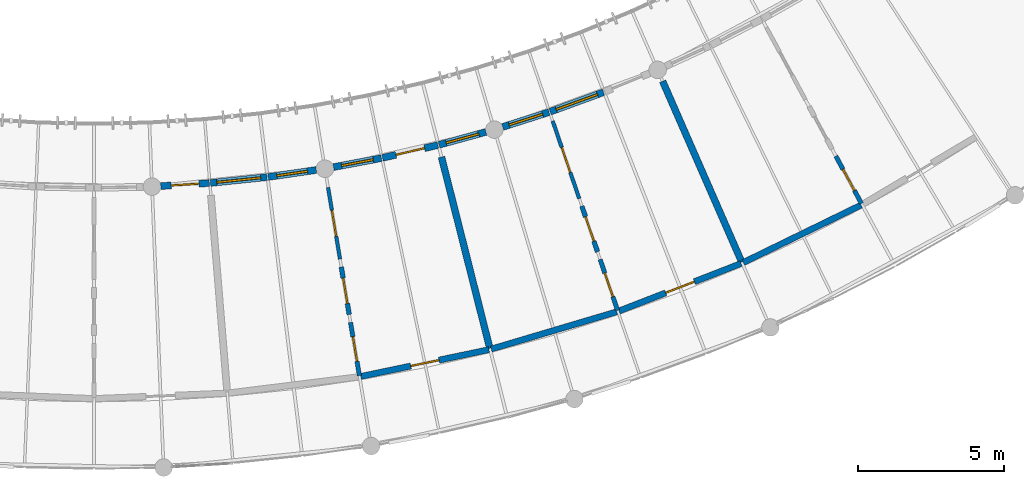
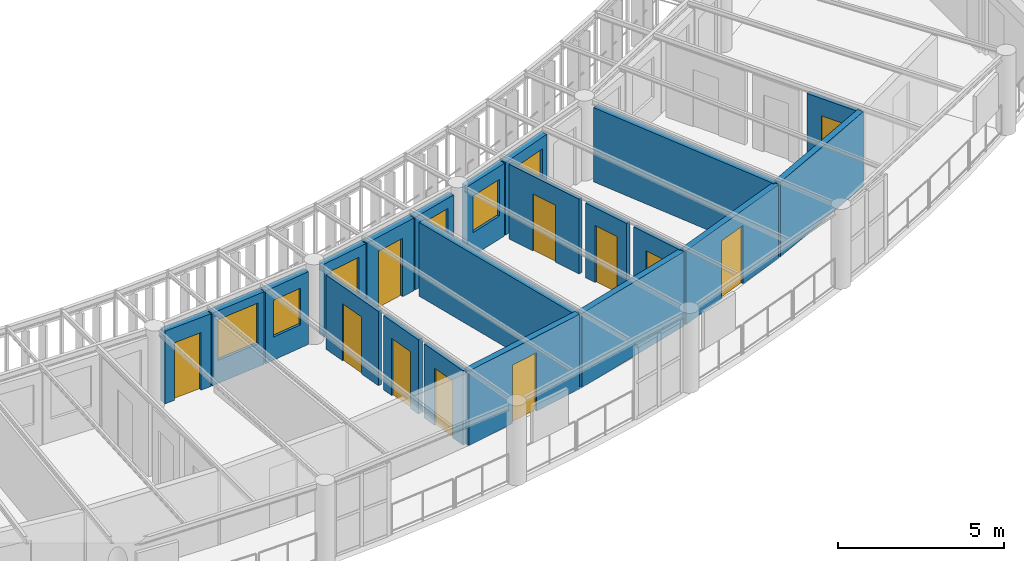
# One storey, part 62 of 101: 21 walls, 11 doors, 6 windows, 17 openings.
"""IFC4 building model written with IfcOpenShell, lengths in metres."""

from ifc_helpers import new_model, si_unit, direction, frame, frame_2d, origin, place, context, subcontext, project, spatial, rectangle, extrude, material, layer, layer_set, type_object, element, fill, save


model = new_model("IFC4")

# Units and contexts
model_context = context("Model", 3, precision=1e-05, world=origin(), true_north=direction((0.0, 1.0)))
body_context = subcontext(model_context, "Body", "Model", "MODEL_VIEW")
ifc_project = project(units=[si_unit("LENGTHUNIT", "METRE"), si_unit("AREAUNIT", "SQUARE_METRE"), si_unit("VOLUMEUNIT", "CUBIC_METRE"), si_unit("PLANEANGLEUNIT", "RADIAN"), si_unit("MASSUNIT", "GRAM", prefix="KILO"), si_unit("POWERUNIT", "WATT"), si_unit("THERMODYNAMICTEMPERATUREUNIT", "KELVIN")], contexts=[model_context])

# Site, building, storey
site_placement = place(None, origin())
site = spatial("IfcSite", under=ifc_project, at=site_placement, CompositionType="ELEMENT")
building_placement = place(site_placement, origin())
building = spatial("IfcBuilding", under=site, at=building_placement, Name="Ruvembo Vaulted Housing Court", CompositionType="ELEMENT")
storey_placement = place(building_placement, frame((0.0, 0.0, 17.300048828125)))
storey = spatial("IfcBuildingStorey", under=building, at=storey_placement, Name="L05", CompositionType="ELEMENT", Elevation=17.300048828125)

# Wall, opening, door
ifc_material_1 = material(Name="Concrete Blockwork 210", Category="masonry")
ifc_layer_1 = layer(ifc_material_1, 0.2099609375, Name="Concrete Blockwork 210")
ifc_layer_set_1 = layer_set([ifc_layer_1], Name="Concrete Blockwork 210")
wall_type_1 = type_object("IfcWallType", Name="WL-CORR-210", PredefinedType="SOLIDWALL", material=ifc_layer_set_1)
wall_1_placement = place(storey_placement, frame((78.106689453125, 7.55810546875, 0.0), z_axis=(0.0, 0.0, 1.0), x_axis=(0.978806148413, 0.204788973894, 0.0)))
wall_1 = element("IfcWall", 1, at=wall_1_placement, inside=storey, type_object=wall_type_1, Name="L05 Suite SC2-L05-U5 Entrance WL-INT-L05-01632", PredefinedType="SOLIDWALL", context=body_context, shape_type="SweptSolid", body=[
    extrude(rectangle(XDim=4.472900390625, YDim=0.2099609375, at=frame_2d((2.236328125, 0.0))), origin(), (0.0, 0.0, 1.0), 2.75390625),
])
opening_1_placement = place(wall_1_placement, frame((1.74658203125, 0.0, 0.0)))
opening_1 = element("IfcOpeningElement", 2, at=opening_1_placement, cuts=wall_1, Name="Opening FD2", PredefinedType="OPENING", context=body_context, shape_type="SweptSolid", body=[
    extrude(rectangle(XDim=0.97998046875, YDim=2.14990234375, at=frame_2d((0.489990234375, 1.074951171875))), frame((0.0, 0.114990234375, 0.0), z_axis=(0.0, -1.0, 0.0), x_axis=(1.0, 0.0, 0.0)), (0.0, 0.0, 1.0), 0.22998046875),
])
ifc_material_2 = material(Name="FSC Hardwood and Engineered Timber", Category="wood")
door_type_1 = type_object("IfcDoorType", Name="DR-FLAT-0980x2150", OperationType="NOTDEFINED", PredefinedType="DOOR", material=ifc_material_2)
door_1_placement = place(opening_1_placement, origin())
door_1 = element("IfcDoor", 3, at=door_1_placement, inside=storey, type_object=door_type_1, Name="L05 Suite SC2-L05-U5 Entrance Door DR-INT-L05-00919", OperationType="SINGLE_SWING_LEFT", OverallHeight=2.14990234375, OverallWidth=0.97998046875, PredefinedType="DOOR", context=body_context, shape_type="SweptSolid", body=[
    extrude(rectangle(XDim=0.97998046875, YDim=2.14990234375, at=frame_2d((0.489990234375, 1.074951171875))), frame((0.0, 0.02490234375, 0.0), z_axis=(0.0, -1.0, 0.0), x_axis=(1.0, 0.0, 0.0)), (0.0, 0.0, 1.0), 0.050048828125),
])
fill(opening_1, door_1)

# Wall
wall_2_placement = place(storey_placement, frame((82.562255859375, 8.493896484375, 0.0), z_axis=(0.0, 0.0, 1.0), x_axis=(0.958602413557, 0.28474798107, 0.0)))
element("IfcWall", 4, at=wall_2_placement, inside=storey, type_object=wall_type_1, Name="L05 Suite SC2-L05-U6 Gallery Wall WL-INT-L05-01637", PredefinedType="SOLIDWALL", context=body_context, shape_type="SweptSolid", body=[
    extrude(rectangle(XDim=4.472900390625, YDim=0.2099609375, at=frame_2d((2.236328125, 0.0))), origin(), (0.0, 0.0, 1.0), 2.73388671875),
])

# Wall, opening, door
wall_3_placement = place(storey_placement, frame((86.92578125, 9.79345703125, 0.0), z_axis=(0.0, 0.0, 1.0), x_axis=(0.931847867525, 0.362849213571, 0.0)))
wall_3 = element("IfcWall", 5, at=wall_3_placement, inside=storey, type_object=wall_type_1, Name="L05 Suite SC2-L05-U6 Entrance WL-INT-L05-01638", PredefinedType="SOLIDWALL", context=body_context, shape_type="SweptSolid", body=[
    extrude(rectangle(XDim=4.47314453125, YDim=0.2099609375, at=frame_2d((2.236572265625, 0.0))), origin(), (0.0, 0.0, 1.0), 2.7138671875),
])
opening_2_placement = place(wall_3_placement, frame((1.711669921875, 0.0, 0.0)))
opening_2 = element("IfcOpeningElement", 6, at=opening_2_placement, cuts=wall_3, Name="Opening FD3", PredefinedType="OPENING", context=body_context, shape_type="SweptSolid", body=[
    extrude(rectangle(XDim=1.050048828125, YDim=2.14990234375, at=frame_2d((0.52490234375, 1.074951171875))), frame((0.0, 0.114990234375, 0.0), z_axis=(0.0, -1.0, 0.0), x_axis=(1.0, 0.0, 0.0)), (0.0, 0.0, 1.0), 0.22998046875),
])
door_type_2 = type_object("IfcDoorType", Name="DR-FLAT-1050x2150", OperationType="NOTDEFINED", PredefinedType="DOOR", material=ifc_material_2)
door_2_placement = place(opening_2_placement, origin())
door_2 = element("IfcDoor", 7, at=door_2_placement, inside=storey, type_object=door_type_2, Name="L05 Suite SC2-L05-U6 Entrance Door DR-INT-L05-00923", OperationType="SINGLE_SWING_LEFT", OverallHeight=2.14990234375, OverallWidth=1.050048828125, PredefinedType="DOOR", context=body_context, shape_type="SweptSolid", body=[
    extrude(rectangle(XDim=1.050048828125, YDim=2.14990234375, at=frame_2d((0.52490234375, 1.074951171875))), frame((0.0, 0.02490234375, 0.0), z_axis=(0.0, -1.0, 0.0), x_axis=(1.0, 0.0, 0.0)), (0.0, 0.0, 1.0), 0.050048828125),
])
fill(opening_2, door_2)

# Walls
wall_4_placement = place(storey_placement, frame((91.16748046875, 11.448486328125, 0.0), z_axis=(0.0, 0.0, 1.0), x_axis=(0.898794149603, 0.438370934985, 0.0)))
element("IfcWall", 8, at=wall_4_placement, inside=storey, type_object=wall_type_1, Name="L05 Suite SC2-L05-U7 Gallery Wall WL-INT-L05-01643", PredefinedType="SOLIDWALL", context=body_context, shape_type="SweptSolid", body=[
    extrude(rectangle(XDim=4.47265625, YDim=0.2099609375, at=frame_2d((2.236328125, 0.0))), origin(), (0.0, 0.0, 1.0), 2.75390625),
])
ifc_material_3 = material(Name="Acoustic Masonry Demising 230", Category="masonry")
ifc_layer_2 = layer(ifc_material_3, 0.22998046875, Name="Acoustic Masonry Demising 230")
ifc_layer_set_2 = layer_set([ifc_layer_2], Name="Acoustic Masonry Demising 230")
wall_type_2 = type_object("IfcWallType", Name="WL-DEM-230", PredefinedType="SOLIDWALL", material=ifc_layer_set_2)
wall_5_placement = place(storey_placement, frame((80.864013671875, 15.0517578125, 0.0), z_axis=(0.0, 0.0, 1.0), x_axis=(0.244982481903, -0.969527505314, 0.0)))
element("IfcWall", 9, at=wall_5_placement, inside=storey, type_object=wall_type_2, Name="L05 Suite SC2-L05-U5 Demising WL-INT-L05-01636", PredefinedType="SOLIDWALL", context=body_context, shape_type="SweptSolid", body=[
    extrude(rectangle(XDim=6.73583984375, YDim=0.22998046875, at=frame_2d((3.367919921875, 0.0))), origin(), (0.0, 0.0, 1.0), 2.7138671875),
])
wall_6_placement = place(storey_placement, frame((88.414794921875, 17.638427734375, 0.0), z_axis=(0.0, 0.0, 1.0), x_axis=(0.400932910895, -0.916107417807, 0.0)))
element("IfcWall", 10, at=wall_6_placement, inside=storey, type_object=wall_type_2, Name="L05 Suite SC2-L05-U6 Demising WL-INT-L05-01642", PredefinedType="SOLIDWALL", context=body_context, shape_type="SweptSolid", body=[
    extrude(rectangle(XDim=6.736083984375, YDim=0.22998046875, at=frame_2d((3.3681640625, 0.0))), origin(), (0.0, 0.0, 1.0), 2.73388671875),
])

# Wall, opening, door
ifc_material_4 = material(Name="Rendered Masonry 235", Category="masonry")
ifc_layer_3 = layer(ifc_material_4, 0.235107421875, Name="Rendered Masonry 235")
ifc_layer_set_3 = layer_set([ifc_layer_3], Name="Rendered Masonry 235")
wall_type_3 = type_object("IfcWallType", Name="WL-EXT-235", PredefinedType="STANDARD", material=ifc_layer_set_3)
wall_7_placement = place(storey_placement, frame((71.279052734375, 14.059326171875, 0.0), z_axis=(0.0, 0.0, 1.0), x_axis=(0.998081088149, 0.061920444756, 0.0)))
wall_7 = element("IfcWall", 11, at=wall_7_placement, inside=storey, type_object=wall_type_3, Name="Scoop SC2 L05 Concave Balcony Wall 15", PredefinedType="STANDARD", context=body_context, shape_type="SweptSolid", body=[
    extrude(rectangle(XDim=1.659912109375, YDim=0.235107421875, at=frame_2d((0.830078125, 0.0))), origin(), (0.0, 0.0, 1.0), 2.676025390625),
])
opening_3_placement = place(wall_7_placement, frame((0.35498046875, 0.0, 0.0)))
opening_3 = element("IfcOpeningElement", 12, at=opening_3_placement, cuts=wall_7, Name="Opening BD0", PredefinedType="OPENING", context=body_context, shape_type="SweptSolid", body=[
    extrude(rectangle(XDim=0.949951171875, YDim=2.1201171875, at=frame_2d((0.47509765625, 1.06005859375))), frame((0.0, 0.12744140625, 0.0), z_axis=(0.0, -1.0, 0.0), x_axis=(1.0, 0.0, 0.0)), (0.0, 0.0, 1.0), 0.255126953125),
])
ifc_material_5 = material(Name="Thermally Broken Glazed Aluminium", Category="aluminium")
door_type_3 = type_object("IfcDoorType", Name="DR-BAL-0950x2120", OperationType="NOTDEFINED", PredefinedType="DOOR", material=ifc_material_5)
door_3_placement = place(opening_3_placement, origin())
door_3 = element("IfcDoor", 13, at=door_3_placement, inside=storey, type_object=door_type_3, Name="Scoop SC2 L05 Balcony Door 15", OperationType="SINGLE_SWING_LEFT", OverallHeight=2.1201171875, OverallWidth=0.949951171875, PredefinedType="DOOR", context=body_context, shape_type="SweptSolid", body=[
    extrude(rectangle(XDim=0.949951171875, YDim=2.1201171875, at=frame_2d((0.47509765625, 1.06005859375))), frame((0.0, 0.02490234375, 0.0), z_axis=(0.0, -1.0, 0.0), x_axis=(1.0, 0.0, 0.0)), (0.0, 0.0, 1.0), 0.050048828125),
])
fill(opening_3, door_3)

# Wall, opening, window
wall_8_placement = place(storey_placement, frame((72.9755859375, 14.165283203125, 0.0), z_axis=(0.0, 0.0, 1.0), x_axis=(0.994688684624, 0.10292920228, 0.0)))
wall_8 = element("IfcWall", 14, at=wall_8_placement, inside=storey, type_object=wall_type_3, Name="Scoop SC2 L05 Concave Balcony Wall 16", PredefinedType="STANDARD", context=body_context, shape_type="SweptSolid", body=[
    extrude(rectangle(XDim=1.940185546875, YDim=0.235107421875, at=frame_2d((0.97021484375, 0.0))), origin(), (0.0, 0.0, 1.0), 2.676025390625),
])
opening_4_placement = place(wall_8_placement, frame((0.219970703125, 0.0, 0.85009765625)))
opening_4 = element("IfcOpeningElement", 15, at=opening_4_placement, cuts=wall_8, Name="Opening W19", PredefinedType="OPENING", context=body_context, shape_type="SweptSolid", body=[
    extrude(rectangle(XDim=1.5, YDim=1.5, at=frame_2d((0.75, 0.75))), frame((0.0, 0.12744140625, 0.0), z_axis=(0.0, -1.0, 0.0), x_axis=(1.0, 0.0, 0.0)), (0.0, 0.0, 1.0), 0.255126953125),
])
ifc_material_6 = material(Name="Double Solar-Control Glazing in Aluminium Frame", Category="aluminium")
window_type_1 = type_object("IfcWindowType", Name="WIN-1500x1500", PartitioningType="SINGLE_PANEL", PredefinedType="WINDOW", material=ifc_material_6)
window_1_placement = place(opening_4_placement, origin())
window_1 = element("IfcWindow", 16, at=window_1_placement, inside=storey, type_object=window_type_1, Name="Scoop SC2 L05 Concave Window 16", OverallHeight=1.5, OverallWidth=1.5, PartitioningType="SINGLE_PANEL", PredefinedType="WINDOW", context=body_context, shape_type="SweptSolid", body=[
    extrude(rectangle(XDim=1.5, YDim=1.5, at=frame_2d((0.75, 0.75))), frame((0.0, 0.030029296875, 0.0), z_axis=(0.0, -1.0, 0.0), x_axis=(1.0, 0.0, 0.0)), (0.0, 0.0, 1.0), 0.06005859375),
])
fill(opening_4, window_1)

wall_9_placement = place(storey_placement, frame((74.945068359375, 14.3701171875, 0.0), z_axis=(0.0, 0.0, 1.0), x_axis=(0.989602429917, 0.14382986721, 0.0)))
wall_9 = element("IfcWall", 17, at=wall_9_placement, inside=storey, type_object=wall_type_3, Name="Scoop SC2 L05 Concave Balcony Wall 17", PredefinedType="STANDARD", context=body_context, shape_type="SweptSolid", body=[
    extrude(rectangle(XDim=1.66015625, YDim=0.235107421875, at=frame_2d((0.830078125, 0.0))), origin(), (0.0, 0.0, 1.0), 2.676025390625),
])
opening_5_placement = place(wall_9_placement, frame((0.304931640625, 0.0, 0.85009765625)))
opening_5 = element("IfcOpeningElement", 18, at=opening_5_placement, cuts=wall_9, Name="Opening W09", PredefinedType="OPENING", context=body_context, shape_type="SweptSolid", body=[
    extrude(rectangle(XDim=1.050048828125, YDim=1.35009765625, at=frame_2d((0.52490234375, 0.675048828125))), frame((0.0, 0.12744140625, 0.0), z_axis=(0.0, -1.0, 0.0), x_axis=(1.0, 0.0, 0.0)), (0.0, 0.0, 1.0), 0.255126953125),
])
window_type_2 = type_object("IfcWindowType", Name="WIN-1050x1350", PartitioningType="SINGLE_PANEL", PredefinedType="WINDOW", material=ifc_material_6)
window_2_placement = place(opening_5_placement, origin())
window_2 = element("IfcWindow", 19, at=window_2_placement, inside=storey, type_object=window_type_2, Name="Scoop SC2 L05 Concave Window 17", OverallHeight=1.35009765625, OverallWidth=1.050048828125, PartitioningType="SINGLE_PANEL", PredefinedType="WINDOW", context=body_context, shape_type="SweptSolid", body=[
    extrude(rectangle(XDim=1.050048828125, YDim=1.35009765625, at=frame_2d((0.52490234375, 0.675048828125))), frame((0.0, 0.030029296875, 0.0), z_axis=(0.0, -1.0, 0.0), x_axis=(1.0, 0.0, 0.0)), (0.0, 0.0, 1.0), 0.06005859375),
])
fill(opening_5, window_2)

wall_10_placement = place(storey_placement, frame((77.179443359375, 14.70751953125, 0.0), z_axis=(0.0, 0.0, 1.0), x_axis=(0.982820537681, 0.184563784945, 0.0)))
wall_10 = element("IfcWall", 20, at=wall_10_placement, inside=storey, type_object=wall_type_3, Name="Scoop SC2 L05 Concave Balcony Wall 18", PredefinedType="STANDARD", context=body_context, shape_type="SweptSolid", body=[
    extrude(rectangle(XDim=1.66015625, YDim=0.235107421875, at=frame_2d((0.830078125, 0.0))), origin(), (0.0, 0.0, 1.0), 2.676025390625),
])
opening_6_placement = place(wall_10_placement, frame((0.280029296875, 0.0, 0.85009765625)))
opening_6 = element("IfcOpeningElement", 21, at=opening_6_placement, cuts=wall_10, Name="Opening W10", PredefinedType="OPENING", context=body_context, shape_type="SweptSolid", body=[
    extrude(rectangle(XDim=1.10009765625, YDim=1.449951171875, at=frame_2d((0.550048828125, 0.72509765625))), frame((0.0, 0.12744140625, 0.0), z_axis=(0.0, -1.0, 0.0), x_axis=(1.0, 0.0, 0.0)), (0.0, 0.0, 1.0), 0.255126953125),
])
window_type_3 = type_object("IfcWindowType", Name="WIN-1100x1450", PartitioningType="SINGLE_PANEL", PredefinedType="WINDOW", material=ifc_material_6)
window_3_placement = place(opening_6_placement, origin())
window_3 = element("IfcWindow", 22, at=window_3_placement, inside=storey, type_object=window_type_3, Name="Scoop SC2 L05 Concave Window 18", OverallHeight=1.449951171875, OverallWidth=1.10009765625, PartitioningType="SINGLE_PANEL", PredefinedType="WINDOW", context=body_context, shape_type="SweptSolid", body=[
    extrude(rectangle(XDim=1.10009765625, YDim=1.449951171875, at=frame_2d((0.550048828125, 0.72509765625))), frame((0.0, 0.030029296875, 0.0), z_axis=(0.0, -1.0, 0.0), x_axis=(1.0, 0.0, 0.0)), (0.0, 0.0, 1.0), 0.06005859375),
])
fill(opening_6, window_3)

# Wall, opening, door
wall_11_placement = place(storey_placement, frame((78.85009765625, 15.02197265625, 0.0), z_axis=(0.0, 0.0, 1.0), x_axis=(0.974359373104, 0.224997360081, 0.0)))
wall_11 = element("IfcWall", 23, at=wall_11_placement, inside=storey, type_object=wall_type_3, Name="Scoop SC2 L05 Concave Balcony Wall 19", PredefinedType="STANDARD", context=body_context, shape_type="SweptSolid", body=[
    extrude(rectangle(XDim=1.940185546875, YDim=0.235107421875, at=frame_2d((0.97021484375, 0.0))), origin(), (0.0, 0.0, 1.0), 2.676025390625),
])
opening_7_placement = place(wall_11_placement, frame((0.469970703125, 0.0, 0.0)))
opening_7 = element("IfcOpeningElement", 24, at=opening_7_placement, cuts=wall_11, Name="Opening BD1", PredefinedType="OPENING", context=body_context, shape_type="SweptSolid", body=[
    extrude(rectangle(XDim=1.0, YDim=2.14990234375, at=frame_2d((0.5, 1.074951171875))), frame((0.0, 0.12744140625, 0.0), z_axis=(0.0, -1.0, 0.0), x_axis=(1.0, 0.0, 0.0)), (0.0, 0.0, 1.0), 0.255126953125),
])
door_type_4 = type_object("IfcDoorType", Name="DR-BAL-1000x2150", OperationType="NOTDEFINED", PredefinedType="DOOR", material=ifc_material_5)
door_4_placement = place(opening_7_placement, origin())
door_4 = element("IfcDoor", 25, at=door_4_placement, inside=storey, type_object=door_type_4, Name="Scoop SC2 L05 Balcony Door 19", OperationType="SINGLE_SWING_RIGHT", OverallHeight=2.14990234375, OverallWidth=1.0, PredefinedType="DOOR", context=body_context, shape_type="SweptSolid", body=[
    extrude(rectangle(XDim=1.0, YDim=2.14990234375, at=frame_2d((0.5, 1.074951171875))), frame((0.0, 0.02490234375, 0.0), z_axis=(0.0, -1.0, 0.0), x_axis=(1.0, 0.0, 0.0)), (0.0, 0.0, 1.0), 0.050048828125),
])
fill(opening_7, door_4)

# Wall, opening, window
wall_12_placement = place(storey_placement, frame((80.779296875, 15.46826171875, 0.0), z_axis=(0.0, 0.0, 1.0), x_axis=(0.964276805489, 0.264896663619, 0.0)))
wall_12 = element("IfcWall", 26, at=wall_12_placement, inside=storey, type_object=wall_type_3, Name="Scoop SC2 L05 Concave Balcony Wall 20", PredefinedType="STANDARD", context=body_context, shape_type="SweptSolid", body=[
    extrude(rectangle(XDim=1.659912109375, YDim=0.235107421875, at=frame_2d((0.830078125, 0.0))), origin(), (0.0, 0.0, 1.0), 2.676025390625),
])
opening_8_placement = place(wall_12_placement, frame((0.2548828125, 0.0, 0.85009765625)))
opening_8 = element("IfcOpeningElement", 27, at=opening_8_placement, cuts=wall_12, Name="Opening W11", PredefinedType="OPENING", context=body_context, shape_type="SweptSolid", body=[
    extrude(rectangle(XDim=1.14990234375, YDim=1.449951171875, at=frame_2d((0.574951171875, 0.72509765625))), frame((0.0, 0.12744140625, 0.0), z_axis=(0.0, -1.0, 0.0), x_axis=(1.0, 0.0, 0.0)), (0.0, 0.0, 1.0), 0.255126953125),
])
window_type_4 = type_object("IfcWindowType", Name="WIN-1150x1450", PartitioningType="SINGLE_PANEL", PredefinedType="WINDOW", material=ifc_material_6)
window_4_placement = place(opening_8_placement, origin())
window_4 = element("IfcWindow", 28, at=window_4_placement, inside=storey, type_object=window_type_4, Name="Scoop SC2 L05 Concave Window 20", OverallHeight=1.449951171875, OverallWidth=1.14990234375, PartitioningType="SINGLE_PANEL", PredefinedType="WINDOW", context=body_context, shape_type="SweptSolid", body=[
    extrude(rectangle(XDim=1.14990234375, YDim=1.449951171875, at=frame_2d((0.574951171875, 0.72509765625))), frame((0.0, 0.030029296875, 0.0), z_axis=(0.0, -1.0, 0.0), x_axis=(1.0, 0.0, 0.0)), (0.0, 0.0, 1.0), 0.06005859375),
])
fill(opening_8, window_4)

wall_13_placement = place(storey_placement, frame((82.955078125, 16.078857421875, 0.0), z_axis=(0.0, 0.0, 1.0), x_axis=(0.952523149859, 0.304466170508, 0.0)))
wall_13 = element("IfcWall", 29, at=wall_13_placement, inside=storey, type_object=wall_type_3, Name="Scoop SC2 L05 Concave Balcony Wall 21", PredefinedType="STANDARD", context=body_context, shape_type="SweptSolid", body=[
    extrude(rectangle(XDim=1.659912109375, YDim=0.235107421875, at=frame_2d((0.830078125, 0.0))), origin(), (0.0, 0.0, 1.0), 2.676025390625),
])
opening_9_placement = place(wall_13_placement, frame((0.22998046875, 0.0, 0.85009765625)))
opening_9 = element("IfcOpeningElement", 30, at=opening_9_placement, cuts=wall_13, Name="Opening W12", PredefinedType="OPENING", context=body_context, shape_type="SweptSolid", body=[
    extrude(rectangle(XDim=1.199951171875, YDim=1.35009765625, at=frame_2d((0.60009765625, 0.675048828125))), frame((0.0, 0.12744140625, 0.0), z_axis=(0.0, -1.0, 0.0), x_axis=(1.0, 0.0, 0.0)), (0.0, 0.0, 1.0), 0.255126953125),
])
window_type_5 = type_object("IfcWindowType", Name="WIN-1200x1350", PartitioningType="SINGLE_PANEL", PredefinedType="WINDOW", material=ifc_material_6)
window_5_placement = place(opening_9_placement, origin())
window_5 = element("IfcWindow", 31, at=window_5_placement, inside=storey, type_object=window_type_5, Name="Scoop SC2 L05 Concave Window 21", OverallHeight=1.35009765625, OverallWidth=1.199951171875, PartitioningType="SINGLE_PANEL", PredefinedType="WINDOW", context=body_context, shape_type="SweptSolid", body=[
    extrude(rectangle(XDim=1.199951171875, YDim=1.35009765625, at=frame_2d((0.60009765625, 0.675048828125))), frame((0.0, 0.030029296875, 0.0), z_axis=(0.0, -1.0, 0.0), x_axis=(1.0, 0.0, 0.0)), (0.0, 0.0, 1.0), 0.06005859375),
])
fill(opening_9, window_5)

wall_14_placement = place(storey_placement, frame((84.573974609375, 16.597412109375, 0.0), z_axis=(0.0, 0.0, 1.0), x_axis=(0.939178301307, 0.343429932235, 0.0)))
wall_14 = element("IfcWall", 32, at=wall_14_placement, inside=storey, type_object=wall_type_3, Name="Scoop SC2 L05 Concave Balcony Wall 22", PredefinedType="STANDARD", context=body_context, shape_type="SweptSolid", body=[
    extrude(rectangle(XDim=1.93994140625, YDim=0.235107421875, at=frame_2d((0.969970703125, 0.0))), origin(), (0.0, 0.0, 1.0), 2.676025390625),
])
opening_10_placement = place(wall_14_placement, frame((0.219970703125, 0.0, 0.85009765625)))
opening_10 = element("IfcOpeningElement", 33, at=opening_10_placement, cuts=wall_14, Name="Opening W18", PredefinedType="OPENING", context=body_context, shape_type="SweptSolid", body=[
    extrude(rectangle(XDim=1.5, YDim=1.39990234375, at=frame_2d((0.75, 0.699951171875))), frame((0.0, 0.12744140625, 0.0), z_axis=(0.0, -1.0, 0.0), x_axis=(1.0, 0.0, 0.0)), (0.0, 0.0, 1.0), 0.255126953125),
])
window_type_6 = type_object("IfcWindowType", Name="WIN-1500x1400", PartitioningType="SINGLE_PANEL", PredefinedType="WINDOW", material=ifc_material_6)
window_6_placement = place(opening_10_placement, origin())
window_6 = element("IfcWindow", 34, at=window_6_placement, inside=storey, type_object=window_type_6, Name="Scoop SC2 L05 Concave Window 22", OverallHeight=1.39990234375, OverallWidth=1.5, PartitioningType="SINGLE_PANEL", PredefinedType="WINDOW", context=body_context, shape_type="SweptSolid", body=[
    extrude(rectangle(XDim=1.5, YDim=1.39990234375, at=frame_2d((0.75, 0.699951171875))), frame((0.0, 0.030029296875, 0.0), z_axis=(0.0, -1.0, 0.0), x_axis=(1.0, 0.0, 0.0)), (0.0, 0.0, 1.0), 0.06005859375),
])
fill(opening_10, window_6)

# Wall, opening, door
ifc_material_7 = material(Name="Plasterboard Stud Partition 125", Category="gypsum")
ifc_layer_4 = layer(ifc_material_7, 0.125, Name="Plasterboard Stud Partition 125")
ifc_layer_set_4 = layer_set([ifc_layer_4], Name="Plasterboard Stud Partition 125")
wall_type_4 = type_object("IfcWallType", Name="WL-PART-125", PredefinedType="PARTITIONING", material=ifc_layer_set_4)
wall_15_placement = place(storey_placement, frame((76.9912109375, 14.0126953125, 0.0), z_axis=(0.0, 0.0, 1.0), x_axis=(0.16420741421, -0.986425833562, 0.0)))
wall_15 = element("IfcWall", 35, at=wall_15_placement, inside=storey, type_object=wall_type_4, Name="L05 Suite SC2-L05-U5 Bedroom WL-INT-L05-01633", PredefinedType="PARTITIONING", context=body_context, shape_type="SweptSolid", body=[
    extrude(rectangle(XDim=2.47998046875, YDim=0.125, at=frame_2d((1.239990234375, 0.0))), origin(), (0.0, 0.0, 1.0), 2.73388671875),
])
opening_11_placement = place(wall_15_placement, frame((0.7900390625, 0.0, 0.0)))
opening_11 = element("IfcOpeningElement", 36, at=opening_11_placement, cuts=wall_15, Name="Opening ID1", PredefinedType="OPENING", context=body_context, shape_type="SweptSolid", body=[
    extrude(rectangle(XDim=0.89990234375, YDim=2.10009765625, at=frame_2d((0.449951171875, 1.050048828125))), frame((0.0, 0.072509765625, 0.0), z_axis=(0.0, -1.0, 0.0), x_axis=(1.0, 0.0, 0.0)), (0.0, 0.0, 1.0), 0.14501953125),
])
door_type_5 = type_object("IfcDoorType", Name="DR-ROOM-0900x2100", OperationType="NOTDEFINED", PredefinedType="DOOR", material=ifc_material_2)
door_5_placement = place(opening_11_placement, origin())
door_5 = element("IfcDoor", 37, at=door_5_placement, inside=storey, type_object=door_type_5, Name="L05 Suite SC2-L05-U5 Bedroom Door DR-INT-L05-00920", OperationType="SINGLE_SWING_RIGHT", OverallHeight=2.10009765625, OverallWidth=0.89990234375, PredefinedType="DOOR", context=body_context, shape_type="SweptSolid", body=[
    extrude(rectangle(XDim=0.89990234375, YDim=2.10009765625, at=frame_2d((0.449951171875, 1.050048828125))), frame((0.0, 0.02490234375, 0.0), z_axis=(0.0, -1.0, 0.0), x_axis=(1.0, 0.0, 0.0)), (0.0, 0.0, 1.0), 0.050048828125),
])
fill(opening_11, door_5)

wall_16_placement = place(storey_placement, frame((84.66162109375, 16.280029296875, 0.0), z_axis=(0.0, 0.0, 1.0), x_axis=(0.32401221778, -0.94605289637, 0.0)))
wall_16 = element("IfcWall", 38, at=wall_16_placement, inside=storey, type_object=wall_type_4, Name="L05 Suite SC2-L05-U6 Bedroom WL-INT-L05-01639", PredefinedType="PARTITIONING", context=body_context, shape_type="SweptSolid", body=[
    extrude(rectangle(XDim=2.800048828125, YDim=0.125, at=frame_2d((1.39990234375, 0.0))), origin(), (0.0, 0.0, 1.0), 2.75390625),
])
opening_12_placement = place(wall_16_placement, frame((0.9501953125, 0.0, 0.0)))
opening_12 = element("IfcOpeningElement", 39, at=opening_12_placement, cuts=wall_16, Name="Opening ID1", PredefinedType="OPENING", context=body_context, shape_type="SweptSolid", body=[
    extrude(rectangle(XDim=0.89990234375, YDim=2.10009765625, at=frame_2d((0.449951171875, 1.050048828125))), frame((0.0, 0.072509765625, 0.0), z_axis=(0.0, -1.0, 0.0), x_axis=(1.0, 0.0, 0.0)), (0.0, 0.0, 1.0), 0.14501953125),
])
door_6_placement = place(opening_12_placement, origin())
door_6 = element("IfcDoor", 40, at=door_6_placement, inside=storey, type_object=door_type_5, Name="L05 Suite SC2-L05-U6 Bedroom Door DR-INT-L05-00924", OperationType="SINGLE_SWING_RIGHT", OverallHeight=2.10009765625, OverallWidth=0.89990234375, PredefinedType="DOOR", context=body_context, shape_type="SweptSolid", body=[
    extrude(rectangle(XDim=0.89990234375, YDim=2.10009765625, at=frame_2d((0.449951171875, 1.050048828125))), frame((0.0, 0.02490234375, 0.0), z_axis=(0.0, -1.0, 0.0), x_axis=(1.0, 0.0, 0.0)), (0.0, 0.0, 1.0), 0.050048828125),
])
fill(opening_12, door_6)

ifc_material_8 = material(Name="Moisture-Resistant Wet Partition 150", Category="gypsum")
ifc_layer_5 = layer(ifc_material_8, 0.14990234375, Name="Moisture-Resistant Wet Partition 150")
ifc_layer_set_5 = layer_set([ifc_layer_5], Name="Moisture-Resistant Wet Partition 150")
wall_type_5 = type_object("IfcWallType", Name="WL-PART-150", PredefinedType="PARTITIONING", material=ifc_layer_set_5)
wall_17_placement = place(storey_placement, frame((77.758544921875, 9.404296875, 0.0), z_axis=(0.0, 0.0, 1.0), x_axis=(0.164269882379, -0.986415432636, 0.0)))
wall_17 = element("IfcWall", 41, at=wall_17_placement, inside=storey, type_object=wall_type_5, Name="L05 Suite SC2-L05-U5 Bathroom WL-INT-L05-01635", PredefinedType="PARTITIONING", context=body_context, shape_type="SweptSolid", body=[
    extrude(rectangle(XDim=1.83984375, YDim=0.14990234375, at=frame_2d((0.919921875, 0.0))), origin(), (0.0, 0.0, 1.0), 2.73388671875),
])
opening_13_placement = place(wall_17_placement, frame((0.494873046875, 0.0, 0.0)))
opening_13 = element("IfcOpeningElement", 42, at=opening_13_placement, cuts=wall_17, Name="Opening ID2", PredefinedType="OPENING", context=body_context, shape_type="SweptSolid", body=[
    extrude(rectangle(XDim=0.85009765625, YDim=2.10009765625, at=frame_2d((0.425048828125, 1.050048828125))), frame((0.0, 0.0849609375, 0.0), z_axis=(0.0, -1.0, 0.0), x_axis=(1.0, 0.0, 0.0)), (0.0, 0.0, 1.0), 0.169921875),
])
door_type_6 = type_object("IfcDoorType", Name="DR-WET-0850x2100", OperationType="NOTDEFINED", PredefinedType="DOOR", material=ifc_material_2)
door_7_placement = place(opening_13_placement, origin())
door_7 = element("IfcDoor", 43, at=door_7_placement, inside=storey, type_object=door_type_6, Name="L05 Suite SC2-L05-U5 Bathroom Door DR-INT-L05-00922", OperationType="SINGLE_SWING_RIGHT", OverallHeight=2.10009765625, OverallWidth=0.85009765625, PredefinedType="DOOR", context=body_context, shape_type="SweptSolid", body=[
    extrude(rectangle(XDim=0.85009765625, YDim=2.10009765625, at=frame_2d((0.425048828125, 1.050048828125))), frame((0.0, 0.02490234375, 0.0), z_axis=(0.0, -1.0, 0.0), x_axis=(1.0, 0.0, 0.0)), (0.0, 0.0, 1.0), 0.050048828125),
])
fill(opening_13, door_7)

wall_18_placement = place(storey_placement, frame((86.279296875, 11.5576171875, 0.0), z_axis=(0.0, 0.0, 1.0), x_axis=(0.323978335312, -0.946064500046, 0.0)))
wall_18 = element("IfcWall", 44, at=wall_18_placement, inside=storey, type_object=wall_type_5, Name="L05 Suite SC2-L05-U6 Bathroom WL-INT-L05-01641", PredefinedType="PARTITIONING", context=body_context, shape_type="SweptSolid", body=[
    extrude(rectangle(XDim=1.84033203125, YDim=0.14990234375, at=frame_2d((0.920166015625, 0.0))), origin(), (0.0, 0.0, 1.0), 2.75390625),
])
opening_14_placement = place(wall_18_placement, frame((0.4951171875, 0.0, 0.0)))
opening_14 = element("IfcOpeningElement", 45, at=opening_14_placement, cuts=wall_18, Name="Opening ID2", PredefinedType="OPENING", context=body_context, shape_type="SweptSolid", body=[
    extrude(rectangle(XDim=0.85009765625, YDim=2.10009765625, at=frame_2d((0.425048828125, 1.050048828125))), frame((0.0, 0.0849609375, 0.0), z_axis=(0.0, -1.0, 0.0), x_axis=(1.0, 0.0, 0.0)), (0.0, 0.0, 1.0), 0.169921875),
])
door_8_placement = place(opening_14_placement, origin())
door_8 = element("IfcDoor", 46, at=door_8_placement, inside=storey, type_object=door_type_6, Name="L05 Suite SC2-L05-U6 Bathroom Door DR-INT-L05-00926", OperationType="SINGLE_SWING_RIGHT", OverallHeight=2.10009765625, OverallWidth=0.85009765625, PredefinedType="DOOR", context=body_context, shape_type="SweptSolid", body=[
    extrude(rectangle(XDim=0.85009765625, YDim=2.10009765625, at=frame_2d((0.425048828125, 1.050048828125))), frame((0.0, 0.02490234375, 0.0), z_axis=(0.0, -1.0, 0.0), x_axis=(1.0, 0.0, 0.0)), (0.0, 0.0, 1.0), 0.050048828125),
])
fill(opening_14, door_8)

wall_19_placement = place(storey_placement, frame((94.33056640625, 15.0810546875, 0.0), z_axis=(0.0, 0.0, 1.0), x_axis=(0.475017414672, -0.879976395001, 0.0)))
wall_19 = element("IfcWall", 47, at=wall_19_placement, inside=storey, type_object=wall_type_5, Name="L05 Suite SC2-L05-U7 Bathroom WL-INT-L05-01647", PredefinedType="PARTITIONING", context=body_context, shape_type="SweptSolid", body=[
    extrude(rectangle(XDim=1.840087890625, YDim=0.14990234375, at=frame_2d((0.919921875, 0.0))), origin(), (0.0, 0.0, 1.0), 2.7138671875),
])
opening_15_placement = place(wall_19_placement, frame((0.510009765625, 0.0, 0.0)))
opening_15 = element("IfcOpeningElement", 48, at=opening_15_placement, cuts=wall_19, Name="Opening ID4", PredefinedType="OPENING", context=body_context, shape_type="SweptSolid", body=[
    extrude(rectangle(XDim=0.820068359375, YDim=2.080078125, at=frame_2d((0.41015625, 1.0400390625))), frame((0.0, 0.0849609375, 0.0), z_axis=(0.0, -1.0, 0.0), x_axis=(1.0, 0.0, 0.0)), (0.0, 0.0, 1.0), 0.169921875),
])
door_type_7 = type_object("IfcDoorType", Name="DR-WET-0820x2080", OperationType="NOTDEFINED", PredefinedType="DOOR", material=ifc_material_2)
door_9_placement = place(opening_15_placement, origin())
door_9 = element("IfcDoor", 49, at=door_9_placement, inside=storey, type_object=door_type_7, Name="L05 Suite SC2-L05-U7 Bathroom Door DR-INT-L05-00930", OperationType="SINGLE_SWING_RIGHT", OverallHeight=2.080078125, OverallWidth=0.820068359375, PredefinedType="DOOR", context=body_context, shape_type="SweptSolid", body=[
    extrude(rectangle(XDim=0.820068359375, YDim=2.080078125, at=frame_2d((0.41015625, 1.0400390625))), frame((0.0, 0.02490234375, 0.0), z_axis=(0.0, -1.0, 0.0), x_axis=(1.0, 0.0, 0.0)), (0.0, 0.0, 1.0), 0.050048828125),
])
fill(opening_15, door_9)

ifc_material_9 = material(Name="Acoustic Service Chase Wall 160", Category="gypsum")
ifc_layer_6 = layer(ifc_material_9, 0.159912109375, Name="Acoustic Service Chase Wall 160")
ifc_layer_set_6 = layer_set([ifc_layer_6], Name="Acoustic Service Chase Wall 160")
wall_type_6 = type_object("IfcWallType", Name="WL-PLUMB-160", PredefinedType="PLUMBINGWALL", material=ifc_layer_set_6)
wall_20_placement = place(storey_placement, frame((77.443359375, 11.298095703125, 0.0), z_axis=(0.0, 0.0, 1.0), x_axis=(0.164158726706, -0.986433937193, 0.0)))
wall_20 = element("IfcWall", 50, at=wall_20_placement, inside=storey, type_object=wall_type_6, Name="L05 Suite SC2-L05-U5 Kitchen WL-INT-L05-01634", PredefinedType="PLUMBINGWALL", context=body_context, shape_type="SweptSolid", body=[
    extrude(rectangle(XDim=1.64794921875, YDim=0.159912109375, at=frame_2d((0.823974609375, 0.0))), origin(), (0.0, 0.0, 1.0), 2.73388671875),
])
opening_16_placement = place(wall_20_placement, frame((0.3837890625, 0.0, 0.0)))
opening_16 = element("IfcOpeningElement", 51, at=opening_16_placement, cuts=wall_20, Name="Opening ID3", PredefinedType="OPENING", context=body_context, shape_type="SweptSolid", body=[
    extrude(rectangle(XDim=0.8798828125, YDim=2.10009765625, at=frame_2d((0.43994140625, 1.050048828125))), frame((0.0, 0.08984375, 0.0), z_axis=(0.0, -1.0, 0.0), x_axis=(1.0, 0.0, 0.0)), (0.0, 0.0, 1.0), 0.179931640625),
])
door_type_8 = type_object("IfcDoorType", Name="DR-ROOM-0880x2100", OperationType="NOTDEFINED", PredefinedType="DOOR", material=ifc_material_2)
door_10_placement = place(opening_16_placement, origin())
door_10 = element("IfcDoor", 52, at=door_10_placement, inside=storey, type_object=door_type_8, Name="L05 Suite SC2-L05-U5 Kitchen Door DR-INT-L05-00921", OperationType="SINGLE_SWING_LEFT", OverallHeight=2.10009765625, OverallWidth=0.8798828125, PredefinedType="DOOR", context=body_context, shape_type="SweptSolid", body=[
    extrude(rectangle(XDim=0.8798828125, YDim=2.10009765625, at=frame_2d((0.43994140625, 1.050048828125))), frame((0.0, 0.02490234375, 0.0), z_axis=(0.0, -1.0, 0.0), x_axis=(1.0, 0.0, 0.0)), (0.0, 0.0, 1.0), 0.050048828125),
])
fill(opening_16, door_10)

wall_21_placement = place(storey_placement, frame((85.656982421875, 13.373779296875, 0.0), z_axis=(0.0, 0.0, 1.0), x_axis=(0.324127376206, -0.946013448104, 0.0)))
wall_21 = element("IfcWall", 53, at=wall_21_placement, inside=storey, type_object=wall_type_6, Name="L05 Suite SC2-L05-U6 Kitchen WL-INT-L05-01640", PredefinedType="PLUMBINGWALL", context=body_context, shape_type="SweptSolid", body=[
    extrude(rectangle(XDim=1.64794921875, YDim=0.159912109375, at=frame_2d((0.823974609375, 0.0))), origin(), (0.0, 0.0, 1.0), 2.75390625),
])
opening_17_placement = place(wall_21_placement, frame((0.384033203125, 0.0, 0.0)))
opening_17 = element("IfcOpeningElement", 54, at=opening_17_placement, cuts=wall_21, Name="Opening ID3", PredefinedType="OPENING", context=body_context, shape_type="SweptSolid", body=[
    extrude(rectangle(XDim=0.8798828125, YDim=2.10009765625, at=frame_2d((0.43994140625, 1.050048828125))), frame((0.0, 0.08984375, 0.0), z_axis=(0.0, -1.0, 0.0), x_axis=(1.0, 0.0, 0.0)), (0.0, 0.0, 1.0), 0.179931640625),
])
door_11_placement = place(opening_17_placement, origin())
door_11 = element("IfcDoor", 55, at=door_11_placement, inside=storey, type_object=door_type_8, Name="L05 Suite SC2-L05-U6 Kitchen Door DR-INT-L05-00925", OperationType="SINGLE_SWING_LEFT", OverallHeight=2.10009765625, OverallWidth=0.8798828125, PredefinedType="DOOR", context=body_context, shape_type="SweptSolid", body=[
    extrude(rectangle(XDim=0.8798828125, YDim=2.10009765625, at=frame_2d((0.43994140625, 1.050048828125))), frame((0.0, 0.02490234375, 0.0), z_axis=(0.0, -1.0, 0.0), x_axis=(1.0, 0.0, 0.0)), (0.0, 0.0, 1.0), 0.050048828125),
])
fill(opening_17, door_11)

save(model, "model.ifc")
